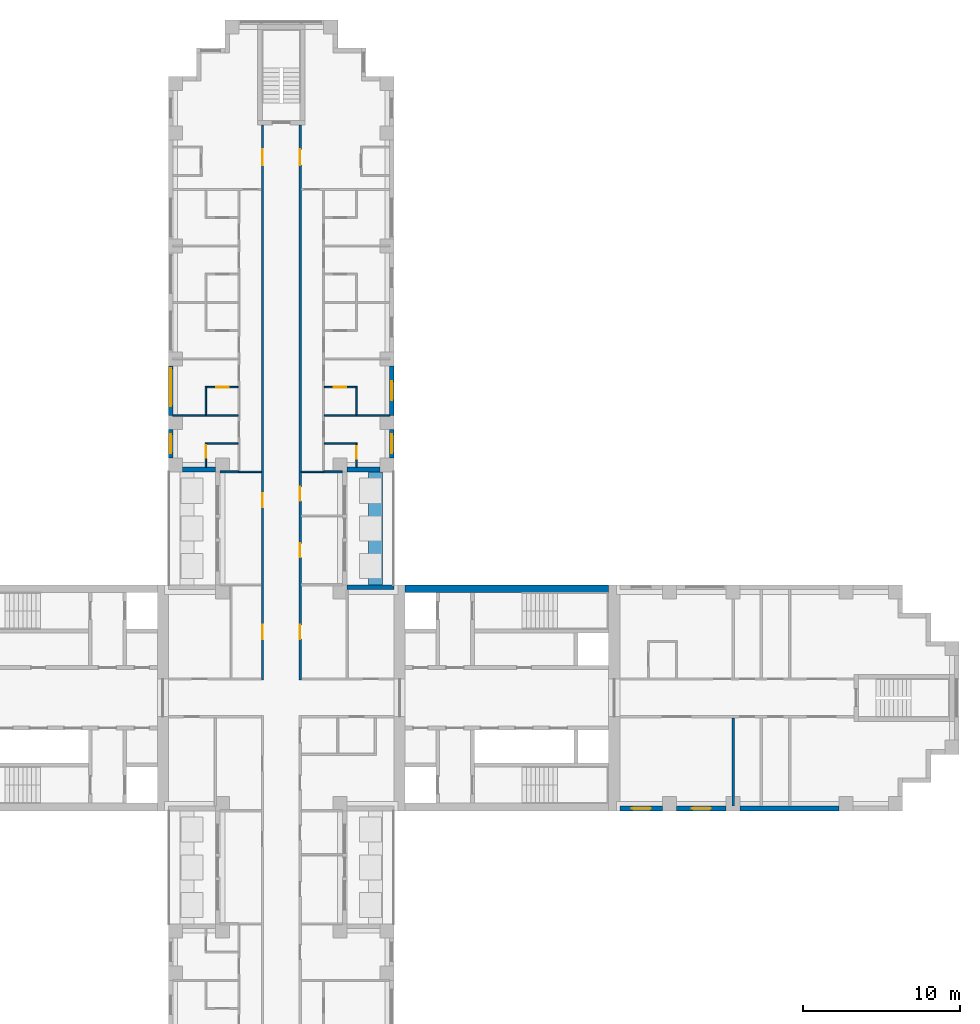
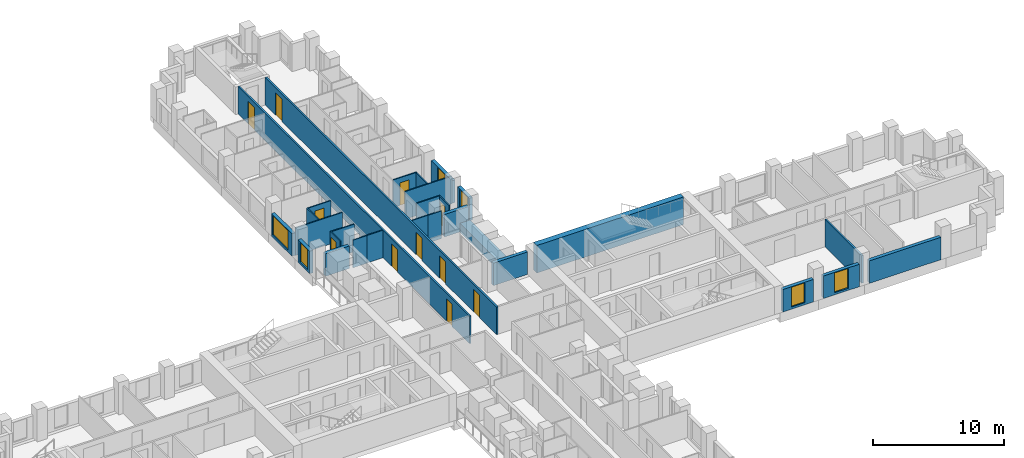
# One storey, part 9 of 15: 29 walls, 11 doors, 6 windows, 17 openings.
"""IFC4 building model written with IfcOpenShell, lengths in metres."""

import ifcopenshell
import ifcopenshell.guid

model = None  # the IFC model being written
_history = None  # IfcOwnerHistory: only IFC2X3 demands one
_inside = {}  # id of a spatial element -> (the spatial element, [elements in it])
_under = {}  # id of a project, library or spatial element -> (it, [spatial elements below it])
_declared = {}  # id of a project -> (the project, [libraries it declares])
_typed = {}  # id of a type object -> (the type object, [elements of that type])
_made_of = {}  # id of a material, layer set ... -> (it, [elements and type objects made of it])


def new_model(schema):
    """Start an empty IFC model of exactly this schema.

    Asked for "IFC4X3", IfcOpenShell would pick the latest addendum, in which some entities
    have other attributes; the version numbers below select the first issue.
    IFC2X3 requires an IfcOwnerHistory on every rooted entity: one is made here for all.
    """
    global model, _history
    if schema == "IFC4X3":
        model = ifcopenshell.file(schema_version=(4, 3, 0, 0))
    else:
        model = ifcopenshell.file(schema=schema)
    _inside.clear()
    _under.clear()
    _declared.clear()
    _typed.clear()
    _made_of.clear()
    _history = None
    if model.schema == "IFC2X3":
        org = make("IfcOrganization", Name="unknown")
        user = make(
            "IfcPersonAndOrganization",
            ThePerson=make("IfcPerson", FamilyName="unknown"),
            TheOrganization=org,
        )
        app = make(
            "IfcApplication",
            ApplicationDeveloper=org,
            Version="unknown",
            ApplicationFullName="unknown",
            ApplicationIdentifier="unknown",
        )
        _history = make(
            "IfcOwnerHistory",
            OwningUser=user,
            OwningApplication=app,
            ChangeAction="ADDED",
            CreationDate=0,
        )
    return model


def make(cls, **values):
    """One entity of the class cls with the attributes given. An attribute that is None is left unset."""
    return model.create_entity(
        cls, **{name: value for name, value in values.items() if value is not None}
    )


def rooted(cls, **values):
    """An entity with a GlobalId (a new one), such as an element, a storey or a relation."""
    return make(cls, GlobalId=ifcopenshell.guid.new(), OwnerHistory=_history, **values)


def si_unit(unit_type, name, prefix=None):
    """IfcSIUnit, for example si_unit("LENGTHUNIT", "METRE", prefix="MILLI")."""
    return make("IfcSIUnit", UnitType=unit_type, Prefix=prefix, Name=name)


def assignment(units):
    """IfcUnitAssignment: the units of a project."""
    return None if units is None else make("IfcUnitAssignment", Units=units)


def point(xyz):
    """IfcCartesianPoint."""
    return None if xyz is None else make("IfcCartesianPoint", Coordinates=xyz)


def direction(xyz):
    """IfcDirection."""
    return None if xyz is None else make("IfcDirection", DirectionRatios=xyz)


def frame(location, z_axis=None, x_axis=None):
    """IfcAxis2Placement3D, a coordinate frame: its origin and axes. An axis left out is left unset."""
    return make(
        "IfcAxis2Placement3D",
        Location=point(location),
        Axis=direction(z_axis),
        RefDirection=direction(x_axis),
    )


def frame_2d(location, x_axis=None):
    """IfcAxis2Placement2D, a coordinate frame in the plane: its origin and x axis."""
    return make(
        "IfcAxis2Placement2D", Location=point(location), RefDirection=direction(x_axis)
    )


def origin():
    """The frame at (0, 0, 0) with its axes left unset."""
    return frame((0.0, 0.0, 0.0))


def place(relative_to, where):
    """IfcLocalPlacement: puts the frame where relative to a parent placement (None: the world)."""
    return make(
        "IfcLocalPlacement", PlacementRelTo=relative_to, RelativePlacement=where
    )


def context(
    kind, dimensions, precision=None, world=None, true_north=None, identifier=None
):
    """IfcGeometricRepresentationContext, for example the 3D "Model" context."""
    return make(
        "IfcGeometricRepresentationContext",
        ContextIdentifier=identifier,
        ContextType=kind,
        CoordinateSpaceDimension=dimensions,
        Precision=precision,
        WorldCoordinateSystem=world,
        TrueNorth=true_north,
    )


def subcontext(parent, identifier, kind, view, scale=None):
    """IfcGeometricRepresentationSubContext, for example "Body" below "Model"."""
    return make(
        "IfcGeometricRepresentationSubContext",
        ContextIdentifier=identifier,
        ContextType=kind,
        ParentContext=parent,
        TargetScale=scale,
        TargetView=view,
    )


def project(units=None, contexts=None):
    """IfcProject with its units and contexts."""
    return rooted(
        "IfcProject",
        Name="project",
        RepresentationContexts=contexts,
        UnitsInContext=assignment(units),
    )


def spatial(cls, under=None, at=None, **own):
    """A site, building, storey or space (cls), placed at a placement, below another one or the project."""
    s = rooted(cls, ObjectPlacement=at, **own)
    if under is not None:
        _under.setdefault(under.id(), (under, []))[1].append(s)
    return s


def profile(cls, at=None, kind="AREA", **sizes):
    """A parametric profile (cls). Its sizes go by their IFC names, for example OverallWidth=200.0."""
    return make(cls, ProfileType=kind, Position=at, **sizes)


def rectangle(**sizes):
    """IfcRectangleProfileDef."""
    return profile("IfcRectangleProfileDef", **sizes)


def extrude(swept, where, along, depth):
    """IfcExtrudedAreaSolid: the profile swept, set in the frame where, extruded along a direction by depth."""
    return make(
        "IfcExtrudedAreaSolid",
        SweptArea=swept,
        Position=where,
        ExtrudedDirection=direction(along),
        Depth=depth,
    )


def shape(context_of_items, identifier, shape_type, items):
    """IfcShapeRepresentation: the items that make up one representation, for example the "Body"."""
    return make(
        "IfcShapeRepresentation",
        ContextOfItems=context_of_items,
        RepresentationIdentifier=identifier,
        RepresentationType=shape_type,
        Items=items,
    )


def material(Name=None, Category=None):
    """IfcMaterial."""
    return make("IfcMaterial", Name=Name, Category=Category)


def layer(
    of_material, thickness, ventilated=None, Name=None, Category=None, Priority=None
):
    """IfcMaterialLayer: one layer of a wall or slab, of a material (None: an air gap)."""
    return make(
        "IfcMaterialLayer",
        Material=of_material,
        LayerThickness=thickness,
        IsVentilated=ventilated,
        Name=Name,
        Category=Category,
        Priority=Priority,
    )


def layer_set(layers, Name=None):
    """IfcMaterialLayerSet."""
    return make("IfcMaterialLayerSet", MaterialLayers=layers, LayerSetName=Name)


def made_of(thing, what):
    """Note that an element or type object is made of a material, layer set ...; save() writes the relation."""
    if what is not None:
        _made_of.setdefault(what.id(), (what, []))[1].append(thing)
    return thing


def type_object(cls, material=None, **own):
    """A type object (cls), such as IfcWallType, which elements share."""
    return made_of(rooted(cls, **own), material)


def element(
    cls,
    number,
    at=None,
    inside=None,
    cuts=None,
    type_object=None,
    material=None,
    context=None,
    identifier="Body",
    shape_type=None,
    held_by="IfcProductDefinitionShape",
    body=None,
    shapes=None,
    **own,
):
    """One element of the class cls, such as IfcWall. Its Tag is "e" and its number.

    at: its placement. inside: the storey or other place that contains it. cuts: it is an
    opening in that element (IfcRelVoidsElement). A single representation is given by context,
    identifier, shape_type and body (its items); several are given by shapes. held_by: the class
    of the entity that holds the representations. save() writes the other relations.
    """
    e = rooted(cls, Tag="e%d" % number, ObjectPlacement=at, **own)
    if body is not None:
        shapes = [shape(context, identifier, shape_type, body)]
    if shapes is not None:
        e.Representation = make(held_by, Representations=shapes)
    if inside is not None:
        _inside.setdefault(inside.id(), (inside, []))[1].append(e)
    if cuts is not None:
        rooted(
            "IfcRelVoidsElement", RelatingBuildingElement=cuts, RelatedOpeningElement=e
        )
    if type_object is not None:
        _typed.setdefault(type_object.id(), (type_object, []))[1].append(e)
    return made_of(e, material)


def fill(opening, filler):
    """IfcRelFillsElement: the door or window that sits in an opening."""
    return rooted(
        "IfcRelFillsElement",
        RelatingOpeningElement=opening,
        RelatedBuildingElement=filler,
    )


def aggregate(whole, parts):
    """IfcRelAggregates: a whole, such as a stair, and the parts it consists of."""
    return rooted("IfcRelAggregates", RelatingObject=whole, RelatedObjects=parts)


def save(model, path):
    """Write the relations noted so far, then the file.

    IfcRelAggregates (storeys below a building ...), IfcRelContainedInSpatialStructure (elements
    in a storey), IfcRelDefinesByType, IfcRelAssociatesMaterial and IfcRelDeclares: one each for
    every whole, place, type object, material and project.
    """
    for whole, parts in _under.values():
        aggregate(whole, parts)
    for where, things in _inside.values():
        rooted(
            "IfcRelContainedInSpatialStructure",
            RelatedElements=things,
            RelatingStructure=where,
        )
    for kind, things in _typed.values():
        rooted("IfcRelDefinesByType", RelatedObjects=things, RelatingType=kind)
    for what, things in _made_of.values():
        rooted("IfcRelAssociatesMaterial", RelatedObjects=things, RelatingMaterial=what)
    for by, libraries in _declared.values():
        rooted("IfcRelDeclares", RelatingContext=by, RelatedDefinitions=libraries)
    model.write(path)


model = new_model("IFC4")

# Units and contexts
model_context = context("Model", 3, precision=1e-05, world=origin(), true_north=direction((0.0, 1.0)))
body_context = subcontext(model_context, "Body", "Model", "MODEL_VIEW")
ifc_project = project(units=[si_unit("LENGTHUNIT", "METRE"), si_unit("AREAUNIT", "SQUARE_METRE"), si_unit("VOLUMEUNIT", "CUBIC_METRE"), si_unit("PLANEANGLEUNIT", "RADIAN"), si_unit("MASSUNIT", "GRAM", prefix="KILO")], contexts=[model_context])

# Site, building, storey
site_placement = place(None, origin())
site = spatial("IfcSite", under=ifc_project, at=site_placement, CompositionType="ELEMENT")
building_placement = place(site_placement, origin())
building = spatial("IfcBuilding", under=site, at=building_placement, Name="Fustian Cross Tower", CompositionType="ELEMENT")
storey_placement = place(building_placement, frame((0.0, 0.0, 17.699951171875)))
storey = spatial("IfcBuildingStorey", under=building, at=storey_placement, Name="L04", CompositionType="ELEMENT", Elevation=17.699951171875)

# Wall, openings, doors
ifc_material_1 = material(Name="Plasterboard on steel stud", Category="steel")
ifc_layer_1 = layer(ifc_material_1, 0.14990234375)
ifc_layer_set_1 = layer_set([ifc_layer_1], Name="Plasterboard on steel stud")
wall_type_1 = type_object("IfcWallType", Name="COMPARTMENT WALL 150 EI 60", PredefinedType="PARTITIONING", material=ifc_layer_set_1)
wall_1_placement = place(storey_placement, frame((-1.199951171875, 1.125, 0.0), z_axis=(0.0, 0.0, 1.0), x_axis=(0.0, 1.0, 0.0)))
wall_1 = element("IfcWall", 1, at=wall_1_placement, inside=storey, type_object=wall_type_1, Name="Partition 55", PredefinedType="PARTITIONING", context=body_context, shape_type="SweptSolid", body=[
    extrude(rectangle(XDim=35.375, YDim=0.14990234375, at=frame_2d((17.6875, 0.0))), origin(), (0.0, 0.0, 1.0), 2.574951171875),
])
opening_1_placement = place(wall_1_placement, frame((2.625, 0.0, 0.0)))
opening_1 = element("IfcOpeningElement", 2, at=opening_1_placement, cuts=wall_1, Name="Opening D04003", PredefinedType="OPENING", context=body_context, shape_type="SweptSolid", body=[
    extrude(rectangle(XDim=0.89990234375, YDim=2.10009765625, at=frame_2d((0.449951171875, 1.050048828125))), frame((0.0, 0.0849609375, 0.0), z_axis=(0.0, -1.0, 0.0), x_axis=(1.0, 0.0, 0.0)), (0.0, 0.0, 1.0), 0.169921875),
])
opening_2_placement = place(wall_1_placement, frame((11.02490234375, 0.0, 0.0)))
opening_2 = element("IfcOpeningElement", 3, at=opening_2_placement, cuts=wall_1, Name="Opening D04019", PredefinedType="OPENING", context=body_context, shape_type="SweptSolid", body=[
    extrude(rectangle(XDim=0.89990234375, YDim=2.10009765625, at=frame_2d((0.449951171875, 1.050048828125))), frame((0.0, 0.0849609375, 0.0), z_axis=(0.0, -1.0, 0.0), x_axis=(1.0, 0.0, 0.0)), (0.0, 0.0, 1.0), 0.169921875),
])
opening_3_placement = place(wall_1_placement, frame((32.824951171875, 0.0, 0.0)))
opening_3 = element("IfcOpeningElement", 4, at=opening_3_placement, cuts=wall_1, Name="Opening D04021", PredefinedType="OPENING", context=body_context, shape_type="SweptSolid", body=[
    extrude(rectangle(XDim=1.0, YDim=2.10009765625, at=frame_2d((0.5, 1.050048828125))), frame((0.0, 0.0849609375, 0.0), z_axis=(0.0, -1.0, 0.0), x_axis=(1.0, 0.0, 0.0)), (0.0, 0.0, 1.0), 0.169921875),
])
ifc_material_2 = material(Name="Timber fire door set", Category="wood")
door_type_1 = type_object("IfcDoorType", Name="FIRE SWING DOOR 1000 FD30S", OperationType="SINGLE_SWING_LEFT", PredefinedType="DOOR", material=ifc_material_2)
door_1_placement = place(opening_3_placement, origin())
door_1 = element("IfcDoor", 5, at=door_1_placement, inside=storey, type_object=door_type_1, Name="Door D04021", OperationType="SINGLE_SWING_LEFT", OverallHeight=2.10009765625, OverallWidth=1.0, PredefinedType="DOOR", context=body_context, shape_type="SweptSolid", body=[
    extrude(rectangle(XDim=1.0, YDim=2.10009765625, at=frame_2d((0.5, 1.050048828125))), frame((0.0, 0.02490234375, 0.0), z_axis=(0.0, -1.0, 0.0), x_axis=(1.0, 0.0, 0.0)), (0.0, 0.0, 1.0), 0.050048828125),
])
fill(opening_3, door_1)
ifc_material_3 = material(Name="Timber fire door set", Category="wood")
door_type_2 = type_object("IfcDoorType", Name="FIRE SWING DOOR 900 FD30S", OperationType="SINGLE_SWING_LEFT", PredefinedType="DOOR", material=ifc_material_3)
door_2_placement = place(opening_1_placement, origin())
door_2 = element("IfcDoor", 6, at=door_2_placement, inside=storey, type_object=door_type_2, Name="Door D04003", OperationType="SINGLE_SWING_LEFT", OverallHeight=2.10009765625, OverallWidth=0.89990234375, PredefinedType="DOOR", context=body_context, shape_type="SweptSolid", body=[
    extrude(rectangle(XDim=0.89990234375, YDim=2.10009765625, at=frame_2d((0.449951171875, 1.050048828125))), frame((0.0, 0.02490234375, 0.0), z_axis=(0.0, -1.0, 0.0), x_axis=(1.0, 0.0, 0.0)), (0.0, 0.0, 1.0), 0.050048828125),
])
fill(opening_1, door_2)
door_3_placement = place(opening_2_placement, origin())
door_3 = element("IfcDoor", 7, at=door_3_placement, inside=storey, type_object=door_type_2, Name="Door D04019", OperationType="SINGLE_SWING_RIGHT", OverallHeight=2.10009765625, OverallWidth=0.89990234375, PredefinedType="DOOR", context=body_context, shape_type="SweptSolid", body=[
    extrude(rectangle(XDim=0.89990234375, YDim=2.10009765625, at=frame_2d((0.449951171875, 1.050048828125))), frame((0.0, 0.02490234375, 0.0), z_axis=(0.0, -1.0, 0.0), x_axis=(1.0, 0.0, 0.0)), (0.0, 0.0, 1.0), 0.050048828125),
])
fill(opening_2, door_3)

wall_2_placement = place(storey_placement, frame((1.199951171875, 1.125, 0.0), z_axis=(0.0, 0.0, 1.0), x_axis=(0.0, 1.0, 0.0)))
wall_2 = element("IfcWall", 8, at=wall_2_placement, inside=storey, type_object=wall_type_1, Name="Partition 64", PredefinedType="PARTITIONING", context=body_context, shape_type="SweptSolid", body=[
    extrude(rectangle(XDim=35.375, YDim=0.14990234375, at=frame_2d((17.6875, 0.0))), origin(), (0.0, 0.0, 1.0), 2.574951171875),
])
opening_4_placement = place(wall_2_placement, frame((2.625, 0.0, 0.0)))
opening_4 = element("IfcOpeningElement", 9, at=opening_4_placement, cuts=wall_2, Name="Opening D04001", PredefinedType="OPENING", context=body_context, shape_type="SweptSolid", body=[
    extrude(rectangle(XDim=0.89990234375, YDim=2.10009765625, at=frame_2d((0.449951171875, 1.050048828125))), frame((0.0, 0.0849609375, 0.0), z_axis=(0.0, -1.0, 0.0), x_axis=(1.0, 0.0, 0.0)), (0.0, 0.0, 1.0), 0.169921875),
])
opening_5_placement = place(wall_2_placement, frame((11.425048828125, 0.0, 0.0)))
opening_5 = element("IfcOpeningElement", 10, at=opening_5_placement, cuts=wall_2, Name="Opening D04033", PredefinedType="OPENING", context=body_context, shape_type="SweptSolid", body=[
    extrude(rectangle(XDim=0.89990234375, YDim=2.10009765625, at=frame_2d((0.449951171875, 1.050048828125))), frame((0.0, 0.0849609375, 0.0), z_axis=(0.0, -1.0, 0.0), x_axis=(1.0, 0.0, 0.0)), (0.0, 0.0, 1.0), 0.169921875),
])
opening_6_placement = place(wall_2_placement, frame((7.824951171875, 0.0, 0.0)))
opening_6 = element("IfcOpeningElement", 11, at=opening_6_placement, cuts=wall_2, Name="Opening D04034", PredefinedType="OPENING", context=body_context, shape_type="SweptSolid", body=[
    extrude(rectangle(XDim=0.89990234375, YDim=2.10009765625, at=frame_2d((0.449951171875, 1.050048828125))), frame((0.0, 0.0849609375, 0.0), z_axis=(0.0, -1.0, 0.0), x_axis=(1.0, 0.0, 0.0)), (0.0, 0.0, 1.0), 0.169921875),
])
opening_7_placement = place(wall_2_placement, frame((32.824951171875, 0.0, 0.0)))
opening_7 = element("IfcOpeningElement", 12, at=opening_7_placement, cuts=wall_2, Name="Opening D04036", PredefinedType="OPENING", context=body_context, shape_type="SweptSolid", body=[
    extrude(rectangle(XDim=1.0, YDim=2.10009765625, at=frame_2d((0.5, 1.050048828125))), frame((0.0, 0.0849609375, 0.0), z_axis=(0.0, -1.0, 0.0), x_axis=(1.0, 0.0, 0.0)), (0.0, 0.0, 1.0), 0.169921875),
])
door_4_placement = place(opening_7_placement, frame((1.0, 0.0, 0.0), z_axis=(0.0, 0.0, 1.0), x_axis=(-1.0, 0.0, 0.0)))
door_4 = element("IfcDoor", 13, at=door_4_placement, inside=storey, type_object=door_type_1, Name="Door D04036", OperationType="SINGLE_SWING_RIGHT", OverallHeight=2.10009765625, OverallWidth=1.0, PredefinedType="DOOR", context=body_context, shape_type="SweptSolid", body=[
    extrude(rectangle(XDim=1.0, YDim=2.10009765625, at=frame_2d((0.5, 1.050048828125))), frame((0.0, 0.02490234375, 0.0), z_axis=(0.0, -1.0, 0.0), x_axis=(1.0, 0.0, 0.0)), (0.0, 0.0, 1.0), 0.050048828125),
])
fill(opening_7, door_4)
door_5_placement = place(opening_4_placement, frame((0.89990234375, 0.0, 0.0), z_axis=(0.0, 0.0, 1.0), x_axis=(-1.0, 0.0, 0.0)))
door_5 = element("IfcDoor", 14, at=door_5_placement, inside=storey, type_object=door_type_2, Name="Door D04001", OperationType="SINGLE_SWING_RIGHT", OverallHeight=2.10009765625, OverallWidth=0.89990234375, PredefinedType="DOOR", context=body_context, shape_type="SweptSolid", body=[
    extrude(rectangle(XDim=0.89990234375, YDim=2.10009765625, at=frame_2d((0.449951171875, 1.050048828125))), frame((0.0, 0.02490234375, 0.0), z_axis=(0.0, -1.0, 0.0), x_axis=(1.0, 0.0, 0.0)), (0.0, 0.0, 1.0), 0.050048828125),
])
fill(opening_4, door_5)
door_6_placement = place(opening_5_placement, frame((0.89990234375, 0.0, 0.0), z_axis=(0.0, 0.0, 1.0), x_axis=(-1.0, 0.0, 0.0)))
door_6 = element("IfcDoor", 15, at=door_6_placement, inside=storey, type_object=door_type_2, Name="Door D04033", OperationType="SINGLE_SWING_RIGHT", OverallHeight=2.10009765625, OverallWidth=0.89990234375, PredefinedType="DOOR", context=body_context, shape_type="SweptSolid", body=[
    extrude(rectangle(XDim=0.89990234375, YDim=2.10009765625, at=frame_2d((0.449951171875, 1.050048828125))), frame((0.0, 0.02490234375, 0.0), z_axis=(0.0, -1.0, 0.0), x_axis=(1.0, 0.0, 0.0)), (0.0, 0.0, 1.0), 0.050048828125),
])
fill(opening_5, door_6)
door_7_placement = place(opening_6_placement, frame((0.89990234375, 0.0, 0.0), z_axis=(0.0, 0.0, 1.0), x_axis=(-1.0, 0.0, 0.0)))
door_7 = element("IfcDoor", 16, at=door_7_placement, inside=storey, type_object=door_type_2, Name="Door D04034", OperationType="SINGLE_SWING_RIGHT", OverallHeight=2.10009765625, OverallWidth=0.89990234375, PredefinedType="DOOR", context=body_context, shape_type="SweptSolid", body=[
    extrude(rectangle(XDim=0.89990234375, YDim=2.10009765625, at=frame_2d((0.449951171875, 1.050048828125))), frame((0.0, 0.02490234375, 0.0), z_axis=(0.0, -1.0, 0.0), x_axis=(1.0, 0.0, 0.0)), (0.0, 0.0, 1.0), 0.050048828125),
])
fill(opening_6, door_7)

# Walls
wall_3_placement = place(storey_placement, frame((28.800048828125, -6.89990234375, 0.0), z_axis=(0.0, 0.0, 1.0), x_axis=(0.0, 1.0, 0.0)))
element("IfcWall", 17, at=wall_3_placement, inside=storey, type_object=wall_type_1, Name="Partition 104", PredefinedType="PARTITIONING", context=body_context, shape_type="SweptSolid", body=[
    extrude(rectangle(XDim=5.625, YDim=0.14990234375, at=frame_2d((2.8125, 0.0))), origin(), (0.0, 0.0, 1.0), 2.574951171875),
])
ifc_material_4 = material(Name="Concrete C80/95", Category="concrete")
ifc_layer_2 = layer(ifc_material_4, 0.5)
ifc_layer_set_2 = layer_set([ifc_layer_2], Name="Concrete C80/95")
wall_type_2 = type_object("IfcWallType", Name="CORE FACADE WALL 500 C80/95", PredefinedType="SHEAR", material=ifc_layer_set_2)
wall_4_placement = place(storey_placement, frame((7.89990234375, 6.949951171875, 0.0), z_axis=(0.0, 0.0, 1.0), x_axis=(1.0, 0.0, 0.0)))
element("IfcWall", 18, at=wall_4_placement, inside=storey, type_object=wall_type_2, Name="Core facade wall", PredefinedType="SHEAR", context=body_context, shape_type="SweptSolid", body=[
    extrude(rectangle(XDim=12.9501953125, YDim=0.5, at=frame_2d((6.47509765625, 0.0))), origin(), (0.0, 0.0, 1.0), 2.574951171875),
])
ifc_material_5 = material(Name="Plasterboard on steel stud", Category="steel")
ifc_layer_3 = layer(ifc_material_5, 0.10009765625)
ifc_layer_set_3 = layer_set([ifc_layer_3], Name="Plasterboard on steel stud")
wall_type_3 = type_object("IfcWallType", Name="PARTITION 100 STUD", PredefinedType="PARTITIONING", material=ifc_layer_set_3)
wall_5_placement = place(storey_placement, frame((-6.89990234375, 18.0, 0.0), z_axis=(0.0, 0.0, 1.0), x_axis=(1.0, 0.0, 0.0)))
element("IfcWall", 19, at=wall_5_placement, inside=storey, type_object=wall_type_3, Name="Partition 17", PredefinedType="PARTITIONING", context=body_context, shape_type="SweptSolid", body=[
    extrude(rectangle(XDim=4.14990234375, YDim=0.10009765625, at=frame_2d((2.074951171875, 0.0))), origin(), (0.0, 0.0, 1.0), 2.574951171875),
])

# Wall, opening, door
wall_6_placement = place(storey_placement, frame((-4.800048828125, 14.699951171875, 0.0), z_axis=(0.0, 0.0, 1.0), x_axis=(0.0, 1.0, 0.0)))
wall_6 = element("IfcWall", 20, at=wall_6_placement, inside=storey, type_object=wall_type_3, Name="Partition 35", PredefinedType="PARTITIONING", context=body_context, shape_type="SweptSolid", body=[
    extrude(rectangle(XDim=1.550048828125, YDim=0.10009765625, at=frame_2d((0.77490234375, 0.0))), origin(), (0.0, 0.0, 1.0), 2.574951171875),
])
opening_8_placement = place(wall_6_placement, frame((0.60009765625, 0.0, 0.0)))
opening_8 = element("IfcOpeningElement", 21, at=opening_8_placement, cuts=wall_6, Name="Opening D04028", PredefinedType="OPENING", context=body_context, shape_type="SweptSolid", body=[
    extrude(rectangle(XDim=0.800048828125, YDim=2.10009765625, at=frame_2d((0.39990234375, 1.050048828125))), frame((0.0, 0.06005859375, 0.0), z_axis=(0.0, -1.0, 0.0), x_axis=(1.0, 0.0, 0.0)), (0.0, 0.0, 1.0), 0.1201171875),
])
ifc_material_6 = material(Name="Painted timber", Category="wood")
door_type_3 = type_object("IfcDoorType", Name="SWING DOOR 800", OperationType="SINGLE_SWING_LEFT", PredefinedType="DOOR", material=ifc_material_6)
door_8_placement = place(opening_8_placement, frame((0.800048828125, 0.0, 0.0), z_axis=(0.0, 0.0, 1.0), x_axis=(-1.0, 0.0, 0.0)))
door_8 = element("IfcDoor", 22, at=door_8_placement, inside=storey, type_object=door_type_3, Name="Door D04028", OperationType="SINGLE_SWING_LEFT", OverallHeight=2.10009765625, OverallWidth=0.800048828125, PredefinedType="DOOR", context=body_context, shape_type="SweptSolid", body=[
    extrude(rectangle(XDim=0.800048828125, YDim=2.10009765625, at=frame_2d((0.39990234375, 1.050048828125))), frame((0.0, 0.02490234375, 0.0), z_axis=(0.0, -1.0, 0.0), x_axis=(1.0, 0.0, 0.0)), (0.0, 0.0, 1.0), 0.050048828125),
])
fill(opening_8, door_8)

# Walls
wall_7_placement = place(storey_placement, frame((-4.75, 16.199951171875, 0.0), z_axis=(0.0, 0.0, 1.0), x_axis=(1.0, 0.0, 0.0)))
element("IfcWall", 23, at=wall_7_placement, inside=storey, type_object=wall_type_3, Name="Partition 36", PredefinedType="PARTITIONING", context=body_context, shape_type="SweptSolid", body=[
    extrude(rectangle(XDim=2.0, YDim=0.10009765625, at=frame_2d((1.0, 0.0))), origin(), (0.0, 0.0, 1.0), 2.574951171875),
])
wall_8_placement = place(storey_placement, frame((-4.800048828125, 18.050048828125, 0.0), z_axis=(0.0, 0.0, 1.0), x_axis=(0.0, 1.0, 0.0)))
element("IfcWall", 24, at=wall_8_placement, inside=storey, type_object=wall_type_3, Name="Partition 37", PredefinedType="PARTITIONING", context=body_context, shape_type="SweptSolid", body=[
    extrude(rectangle(XDim=1.800048828125, YDim=0.10009765625, at=frame_2d((0.89990234375, 0.0))), origin(), (0.0, 0.0, 1.0), 2.574951171875),
])

# Wall, opening, door
wall_9_placement = place(storey_placement, frame((-4.75, 19.800048828125, 0.0), z_axis=(0.0, 0.0, 1.0), x_axis=(1.0, 0.0, 0.0)))
wall_9 = element("IfcWall", 25, at=wall_9_placement, inside=storey, type_object=wall_type_3, Name="Partition 38", PredefinedType="PARTITIONING", context=body_context, shape_type="SweptSolid", body=[
    extrude(rectangle(XDim=2.0, YDim=0.10009765625, at=frame_2d((1.0, 0.0))), origin(), (0.0, 0.0, 1.0), 2.574951171875),
])
opening_9_placement = place(wall_9_placement, frame((0.60009765625, 0.0, 0.0)))
opening_9 = element("IfcOpeningElement", 26, at=opening_9_placement, cuts=wall_9, Name="Opening D04029", PredefinedType="OPENING", context=body_context, shape_type="SweptSolid", body=[
    extrude(rectangle(XDim=0.800048828125, YDim=2.10009765625, at=frame_2d((0.39990234375, 1.050048828125))), frame((0.0, 0.06005859375, 0.0), z_axis=(0.0, -1.0, 0.0), x_axis=(1.0, 0.0, 0.0)), (0.0, 0.0, 1.0), 0.1201171875),
])
door_9_placement = place(opening_9_placement, frame((0.800048828125, 0.0, 0.0), z_axis=(0.0, 0.0, 1.0), x_axis=(-1.0, 0.0, 0.0)))
door_9 = element("IfcDoor", 27, at=door_9_placement, inside=storey, type_object=door_type_3, Name="Door D04029", OperationType="SINGLE_SWING_RIGHT", OverallHeight=2.10009765625, OverallWidth=0.800048828125, PredefinedType="DOOR", context=body_context, shape_type="SweptSolid", body=[
    extrude(rectangle(XDim=0.800048828125, YDim=2.10009765625, at=frame_2d((0.39990234375, 1.050048828125))), frame((0.0, 0.02490234375, 0.0), z_axis=(0.0, -1.0, 0.0), x_axis=(1.0, 0.0, 0.0)), (0.0, 0.0, 1.0), 0.050048828125),
])
fill(opening_9, door_9)

# Walls
for number, where, z_axis, x_axis, name in (
    (28, (-2.699951171875, 14.39990234375, 0.0), (0.0, 0.0, 1.0), (1.0, 0.0, 0.0), "Partition 53"),
    (29, (1.27490234375, 14.39990234375, 0.0), (0.0, 0.0, 1.0), (1.0, 0.0, 0.0), "Partition 68"),
):
    element("IfcWall", number, at=place(storey_placement, frame(where, z_axis=z_axis, x_axis=x_axis)), inside=storey, type_object=wall_type_3, Name=name, PredefinedType="PARTITIONING", context=body_context, shape_type="SweptSolid", body=[
        extrude(rectangle(XDim=1.425048828125, YDim=0.10009765625, at=frame_2d((0.71240234375, 0.0))), origin(), (0.0, 0.0, 1.0), 2.574951171875),
    ])
wall_10_placement = place(storey_placement, frame((2.75, 16.199951171875, 0.0), z_axis=(0.0, 0.0, 1.0), x_axis=(1.0, 0.0, 0.0)))
element("IfcWall", 30, at=wall_10_placement, inside=storey, type_object=wall_type_3, Name="Partition 76", PredefinedType="PARTITIONING", context=body_context, shape_type="SweptSolid", body=[
    extrude(rectangle(XDim=2.10009765625, YDim=0.10009765625, at=frame_2d((1.050048828125, 0.0))), origin(), (0.0, 0.0, 1.0), 2.574951171875),
])
wall_11_placement = place(storey_placement, frame((2.75, 18.0, 0.0), z_axis=(0.0, 0.0, 1.0), x_axis=(1.0, 0.0, 0.0)))
element("IfcWall", 31, at=wall_11_placement, inside=storey, type_object=wall_type_3, Name="Partition 77", PredefinedType="PARTITIONING", context=body_context, shape_type="SweptSolid", body=[
    extrude(rectangle(XDim=4.14990234375, YDim=0.10009765625, at=frame_2d((2.074951171875, 0.0))), origin(), (0.0, 0.0, 1.0), 2.574951171875),
])

# Wall, opening, door
wall_12_placement = place(storey_placement, frame((2.75, 19.800048828125, 0.0), z_axis=(0.0, 0.0, 1.0), x_axis=(1.0, 0.0, 0.0)))
wall_12 = element("IfcWall", 32, at=wall_12_placement, inside=storey, type_object=wall_type_3, Name="Partition 78", PredefinedType="PARTITIONING", context=body_context, shape_type="SweptSolid", body=[
    extrude(rectangle(XDim=2.10009765625, YDim=0.10009765625, at=frame_2d((1.050048828125, 0.0))), origin(), (0.0, 0.0, 1.0), 2.574951171875),
])
opening_10_placement = place(wall_12_placement, frame((0.60009765625, 0.0, 0.0)))
opening_10 = element("IfcOpeningElement", 33, at=opening_10_placement, cuts=wall_12, Name="Opening D04044", PredefinedType="OPENING", context=body_context, shape_type="SweptSolid", body=[
    extrude(rectangle(XDim=0.800048828125, YDim=2.10009765625, at=frame_2d((0.39990234375, 1.050048828125))), frame((0.0, 0.06005859375, 0.0), z_axis=(0.0, -1.0, 0.0), x_axis=(1.0, 0.0, 0.0)), (0.0, 0.0, 1.0), 0.1201171875),
])
door_10_placement = place(opening_10_placement, frame((0.800048828125, 0.0, 0.0), z_axis=(0.0, 0.0, 1.0), x_axis=(-1.0, 0.0, 0.0)))
door_10 = element("IfcDoor", 34, at=door_10_placement, inside=storey, type_object=door_type_3, Name="Door D04044", OperationType="SINGLE_SWING_RIGHT", OverallHeight=2.10009765625, OverallWidth=0.800048828125, PredefinedType="DOOR", context=body_context, shape_type="SweptSolid", body=[
    extrude(rectangle(XDim=0.800048828125, YDim=2.10009765625, at=frame_2d((0.39990234375, 1.050048828125))), frame((0.0, 0.02490234375, 0.0), z_axis=(0.0, -1.0, 0.0), x_axis=(1.0, 0.0, 0.0)), (0.0, 0.0, 1.0), 0.050048828125),
])
fill(opening_10, door_10)

wall_13_placement = place(storey_placement, frame((4.800048828125, 14.699951171875, 0.0), z_axis=(0.0, 0.0, 1.0), x_axis=(0.0, 1.0, 0.0)))
wall_13 = element("IfcWall", 35, at=wall_13_placement, inside=storey, type_object=wall_type_3, Name="Partition 88", PredefinedType="PARTITIONING", context=body_context, shape_type="SweptSolid", body=[
    extrude(rectangle(XDim=1.449951171875, YDim=0.10009765625, at=frame_2d((0.72509765625, 0.0))), origin(), (0.0, 0.0, 1.0), 2.574951171875),
])
opening_11_placement = place(wall_13_placement, frame((0.550048828125, 0.0, 0.0)))
opening_11 = element("IfcOpeningElement", 36, at=opening_11_placement, cuts=wall_13, Name="Opening D04043", PredefinedType="OPENING", context=body_context, shape_type="SweptSolid", body=[
    extrude(rectangle(XDim=0.800048828125, YDim=2.10009765625, at=frame_2d((0.39990234375, 1.050048828125))), frame((0.0, 0.06005859375, 0.0), z_axis=(0.0, -1.0, 0.0), x_axis=(1.0, 0.0, 0.0)), (0.0, 0.0, 1.0), 0.1201171875),
])
door_11_placement = place(opening_11_placement, frame((0.800048828125, 0.0, 0.0), z_axis=(0.0, 0.0, 1.0), x_axis=(-1.0, 0.0, 0.0)))
door_11 = element("IfcDoor", 37, at=door_11_placement, inside=storey, type_object=door_type_3, Name="Door D04043", OperationType="SINGLE_SWING_RIGHT", OverallHeight=2.10009765625, OverallWidth=0.800048828125, PredefinedType="DOOR", context=body_context, shape_type="SweptSolid", body=[
    extrude(rectangle(XDim=0.800048828125, YDim=2.10009765625, at=frame_2d((0.39990234375, 1.050048828125))), frame((0.0, 0.02490234375, 0.0), z_axis=(0.0, -1.0, 0.0), x_axis=(1.0, 0.0, 0.0)), (0.0, 0.0, 1.0), 0.050048828125),
])
fill(opening_11, door_11)

# Walls
wall_14_placement = place(storey_placement, frame((4.800048828125, 18.050048828125, 0.0), z_axis=(0.0, 0.0, 1.0), x_axis=(0.0, 1.0, 0.0)))
element("IfcWall", 38, at=wall_14_placement, inside=storey, type_object=wall_type_3, Name="Partition 89", PredefinedType="PARTITIONING", context=body_context, shape_type="SweptSolid", body=[
    extrude(rectangle(XDim=1.699951171875, YDim=0.10009765625, at=frame_2d((0.85009765625, 0.0))), origin(), (0.0, 0.0, 1.0), 2.574951171875),
])
ifc_material_7 = material(Name="Concrete C40/50", Category="concrete")
ifc_layer_4 = layer(ifc_material_7, 0.89990234375)
ifc_layer_set_4 = layer_set([ifc_layer_4], Name="Concrete C40/50")
wall_type_4 = type_object("IfcWallType", Name="PK1 PLANTER 900", PredefinedType="PARAPET", material=ifc_layer_set_4)
wall_15_placement = place(storey_placement, frame((6.0, 7.199951171875, 0.0), z_axis=(0.0, 0.0, 1.0), x_axis=(0.0, 1.0, 0.0)))
element("IfcWall", 39, at=wall_15_placement, inside=storey, type_object=wall_type_4, Name="PLANTER", PredefinedType="PARAPET", context=body_context, shape_type="SweptSolid", body=[
    extrude(rectangle(XDim=7.199951171875, YDim=0.89990234375, at=frame_2d((3.60009765625, 0.0))), origin(), (0.0, 0.0, 1.0), 0.800048828125),
])
ifc_material_8 = material(Name="Plasterboard on steel stud", Category="steel")
ifc_layer_5 = layer(ifc_material_8, 0.125)
ifc_layer_set_5 = layer_set([ifc_layer_5], Name="Plasterboard on steel stud")
wall_type_5 = type_object("IfcWallType", Name="WET WALL 125 STUD", PredefinedType="PARTITIONING", material=ifc_layer_set_5)
for number, where, z_axis, x_axis, name in (
    (40, (-3.89990234375, 14.39990234375, 0.0), (0.0, 0.0, 1.0), (1.0, 0.0, 0.0), "Partition 48"),
    (41, (2.699951171875, 14.39990234375, 0.0), (0.0, 0.0, 1.0), (1.0, 0.0, 0.0), "Partition 75"),
):
    element("IfcWall", number, at=place(storey_placement, frame(where, z_axis=z_axis, x_axis=x_axis)), inside=storey, type_object=wall_type_5, Name=name, PredefinedType="PARTITIONING", context=body_context, shape_type="SweptSolid", body=[
        extrude(rectangle(XDim=1.199951171875, YDim=0.125, at=frame_2d((0.60009765625, 0.0))), origin(), (0.0, 0.0, 1.0), 2.574951171875),
    ])

# Wall, opening, window
ifc_material_9 = material(Name="Dark aluminium cladding on insulated backing wall", Category="aluminium")
ifc_layer_6 = layer(ifc_material_9, 0.300048828125)
ifc_layer_set_6 = layer_set([ifc_layer_6], Name="Dark aluminium cladding on insulated backing wall")
wall_type_6 = type_object("IfcWallType", Name="XW1 EXTERNAL WALL 300", PredefinedType="SOLIDWALL", material=ifc_layer_set_6)
wall_16_placement = place(storey_placement, frame((21.60009765625, -7.050048828125, 0.0), z_axis=(0.0, 0.0, 1.0), x_axis=(1.0, 0.0, 0.0)))
wall_16 = element("IfcWall", 42, at=wall_16_placement, inside=storey, type_object=wall_type_6, Name="External wall", PredefinedType="SOLIDWALL", context=body_context, shape_type="SweptSolid", body=[
    extrude(rectangle(XDim=2.699951171875, YDim=0.300048828125, at=frame_2d((1.35009765625, 0.0))), origin(), (0.0, 0.0, 1.0), 2.10009765625),
])
opening_12_placement = place(wall_16_placement, frame((0.75, 0.0, 0.199951171875)))
opening_12 = element("IfcOpeningElement", 43, at=opening_12_placement, cuts=wall_16, Name="Opening WN3", PredefinedType="OPENING", context=body_context, shape_type="SweptSolid", body=[
    extrude(rectangle(XDim=1.199951171875, YDim=1.85009765625, at=frame_2d((0.60009765625, 0.925048828125))), frame((0.0, 0.159912109375, 0.0), z_axis=(0.0, -1.0, 0.0), x_axis=(1.0, 0.0, 0.0)), (0.0, 0.0, 1.0), 0.320068359375),
])
ifc_material_10 = material(Name="Dark anodised aluminium and double glazing", Category="aluminium")
window_type_1 = type_object("IfcWindowType", Name="WN3 WINDOW 1200X1850", PartitioningType="SINGLE_PANEL", PredefinedType="WINDOW", material=ifc_material_10)
window_1_placement = place(opening_12_placement, origin())
window_1 = element("IfcWindow", 44, at=window_1_placement, inside=storey, type_object=window_type_1, Name="Window", OverallHeight=1.85009765625, OverallWidth=1.199951171875, PartitioningType="SINGLE_PANEL", PredefinedType="WINDOW", context=body_context, shape_type="SweptSolid", body=[
    extrude(rectangle(XDim=1.199951171875, YDim=1.85009765625, at=frame_2d((0.60009765625, 0.925048828125))), frame((0.0, 0.030029296875, 0.0), z_axis=(0.0, -1.0, 0.0), x_axis=(1.0, 0.0, 0.0)), (0.0, 0.0, 1.0), 0.06005859375),
])
fill(opening_12, window_1)

wall_17_placement = place(storey_placement, frame((25.199951171875, -7.050048828125, 0.0), z_axis=(0.0, 0.0, 1.0), x_axis=(1.0, 0.0, 0.0)))
wall_17 = element("IfcWall", 45, at=wall_17_placement, inside=storey, type_object=wall_type_6, Name="External wall", PredefinedType="SOLIDWALL", context=body_context, shape_type="SweptSolid", body=[
    extrude(rectangle(XDim=3.150146484375, YDim=0.300048828125, at=frame_2d((1.5751953125, 0.0))), origin(), (0.0, 0.0, 1.0), 2.10009765625),
])
opening_13_placement = place(wall_17_placement, frame((0.97509765625, 0.0, 0.199951171875)))
opening_13 = element("IfcOpeningElement", 46, at=opening_13_placement, cuts=wall_17, Name="Opening WN3", PredefinedType="OPENING", context=body_context, shape_type="SweptSolid", body=[
    extrude(rectangle(XDim=1.199951171875, YDim=1.85009765625, at=frame_2d((0.60009765625, 0.925048828125))), frame((0.0, 0.159912109375, 0.0), z_axis=(0.0, -1.0, 0.0), x_axis=(1.0, 0.0, 0.0)), (0.0, 0.0, 1.0), 0.320068359375),
])
window_2_placement = place(opening_13_placement, origin())
window_2 = element("IfcWindow", 47, at=window_2_placement, inside=storey, type_object=window_type_1, Name="Window", OverallHeight=1.85009765625, OverallWidth=1.199951171875, PartitioningType="SINGLE_PANEL", PredefinedType="WINDOW", context=body_context, shape_type="SweptSolid", body=[
    extrude(rectangle(XDim=1.199951171875, YDim=1.85009765625, at=frame_2d((0.60009765625, 0.925048828125))), frame((0.0, 0.030029296875, 0.0), z_axis=(0.0, -1.0, 0.0), x_axis=(1.0, 0.0, 0.0)), (0.0, 0.0, 1.0), 0.06005859375),
])
fill(opening_13, window_2)

# Walls
wall_18_placement = place(storey_placement, frame((29.25, -7.050048828125, 0.0), z_axis=(0.0, 0.0, 1.0), x_axis=(1.0, 0.0, 0.0)))
element("IfcWall", 48, at=wall_18_placement, inside=storey, type_object=wall_type_6, Name="External wall", PredefinedType="SOLIDWALL", context=body_context, shape_type="SweptSolid", body=[
    extrude(rectangle(XDim=6.300048828125, YDim=0.300048828125, at=frame_2d((3.14990234375, 0.0))), origin(), (0.0, 0.0, 1.0), 2.10009765625),
])
wall_19_placement = place(storey_placement, frame((7.199951171875, 7.050048828125, 0.0), z_axis=(0.0, 0.0, 1.0), x_axis=(-1.0, 0.0, 0.0)))
element("IfcWall", 49, at=wall_19_placement, inside=storey, type_object=wall_type_6, Name="External wall", PredefinedType="SOLIDWALL", context=body_context, shape_type="SweptSolid", body=[
    extrude(rectangle(XDim=3.0, YDim=0.300048828125, at=frame_2d((1.5, 0.0))), origin(), (0.0, 0.0, 1.0), 2.10009765625),
])
wall_20_placement = place(storey_placement, frame((4.199951171875, 14.550048828125, 0.0), z_axis=(0.0, 0.0, 1.0), x_axis=(1.0, 0.0, 0.0)))
element("IfcWall", 50, at=wall_20_placement, inside=storey, type_object=wall_type_6, Name="External wall", PredefinedType="SOLIDWALL", context=body_context, shape_type="SweptSolid", body=[
    extrude(rectangle(XDim=2.10009765625, YDim=0.300048828125, at=frame_2d((1.050048828125, 0.0))), origin(), (0.0, 0.0, 1.0), 2.10009765625),
])

# Wall, opening, window
wall_21_placement = place(storey_placement, frame((7.050048828125, 15.300048828125, 0.0), z_axis=(0.0, 0.0, 1.0), x_axis=(0.0, 1.0, 0.0)))
wall_21 = element("IfcWall", 51, at=wall_21_placement, inside=storey, type_object=wall_type_6, Name="External wall", PredefinedType="SOLIDWALL", context=body_context, shape_type="SweptSolid", body=[
    extrude(rectangle(XDim=1.800048828125, YDim=0.300048828125, at=frame_2d((0.89990234375, 0.0))), origin(), (0.0, 0.0, 1.0), 2.10009765625),
])
opening_14_placement = place(wall_21_placement, frame((0.300048828125, 0.0, 0.199951171875)))
opening_14 = element("IfcOpeningElement", 52, at=opening_14_placement, cuts=wall_21, Name="Opening WN3", PredefinedType="OPENING", context=body_context, shape_type="SweptSolid", body=[
    extrude(rectangle(XDim=1.199951171875, YDim=1.85009765625, at=frame_2d((0.60009765625, 0.925048828125))), frame((0.0, 0.159912109375, 0.0), z_axis=(0.0, -1.0, 0.0), x_axis=(1.0, 0.0, 0.0)), (0.0, 0.0, 1.0), 0.320068359375),
])
window_3_placement = place(opening_14_placement, origin())
window_3 = element("IfcWindow", 53, at=window_3_placement, inside=storey, type_object=window_type_1, Name="Window", OverallHeight=1.85009765625, OverallWidth=1.199951171875, PartitioningType="SINGLE_PANEL", PredefinedType="WINDOW", context=body_context, shape_type="SweptSolid", body=[
    extrude(rectangle(XDim=1.199951171875, YDim=1.85009765625, at=frame_2d((0.60009765625, 0.925048828125))), frame((0.0, 0.030029296875, 0.0), z_axis=(0.0, -1.0, 0.0), x_axis=(1.0, 0.0, 0.0)), (0.0, 0.0, 1.0), 0.06005859375),
])
fill(opening_14, window_3)

wall_22_placement = place(storey_placement, frame((7.050048828125, 18.0, 0.0), z_axis=(0.0, 0.0, 1.0), x_axis=(0.0, 1.0, 0.0)))
wall_22 = element("IfcWall", 54, at=wall_22_placement, inside=storey, type_object=wall_type_6, Name="External wall", PredefinedType="SOLIDWALL", context=body_context, shape_type="SweptSolid", body=[
    extrude(rectangle(XDim=3.14990234375, YDim=0.300048828125, at=frame_2d((1.574951171875, 0.0))), origin(), (0.0, 0.0, 1.0), 2.10009765625),
])
opening_15_placement = place(wall_22_placement, frame((0.97509765625, 0.0, 0.199951171875)))
opening_15 = element("IfcOpeningElement", 55, at=opening_15_placement, cuts=wall_22, Name="Opening WN3", PredefinedType="OPENING", context=body_context, shape_type="SweptSolid", body=[
    extrude(rectangle(XDim=1.199951171875, YDim=1.85009765625, at=frame_2d((0.60009765625, 0.925048828125))), frame((0.0, 0.159912109375, 0.0), z_axis=(0.0, -1.0, 0.0), x_axis=(1.0, 0.0, 0.0)), (0.0, 0.0, 1.0), 0.320068359375),
])
window_4_placement = place(opening_15_placement, origin())
window_4 = element("IfcWindow", 56, at=window_4_placement, inside=storey, type_object=window_type_1, Name="Window", OverallHeight=1.85009765625, OverallWidth=1.199951171875, PartitioningType="SINGLE_PANEL", PredefinedType="WINDOW", context=body_context, shape_type="SweptSolid", body=[
    extrude(rectangle(XDim=1.199951171875, YDim=1.85009765625, at=frame_2d((0.60009765625, 0.925048828125))), frame((0.0, 0.030029296875, 0.0), z_axis=(0.0, -1.0, 0.0), x_axis=(1.0, 0.0, 0.0)), (0.0, 0.0, 1.0), 0.06005859375),
])
fill(opening_15, window_4)

wall_23_placement = place(storey_placement, frame((-7.050048828125, 21.14990234375, 0.0), z_axis=(0.0, 0.0, 1.0), x_axis=(0.0, -1.0, 0.0)))
wall_23 = element("IfcWall", 57, at=wall_23_placement, inside=storey, type_object=wall_type_6, Name="External wall", PredefinedType="SOLIDWALL", context=body_context, shape_type="SweptSolid", body=[
    extrude(rectangle(XDim=3.14990234375, YDim=0.300048828125, at=frame_2d((1.574951171875, 0.0))), origin(), (0.0, 0.0, 1.0), 2.10009765625),
])
opening_16_placement = place(wall_23_placement, frame((0.14990234375, 0.0, 0.199951171875)))
opening_16 = element("IfcOpeningElement", 58, at=opening_16_placement, cuts=wall_23, Name="Opening WN1", PredefinedType="OPENING", context=body_context, shape_type="SweptSolid", body=[
    extrude(rectangle(XDim=2.39990234375, YDim=1.85009765625, at=frame_2d((1.199951171875, 0.925048828125))), frame((0.0, 0.159912109375, 0.0), z_axis=(0.0, -1.0, 0.0), x_axis=(1.0, 0.0, 0.0)), (0.0, 0.0, 1.0), 0.320068359375),
])
ifc_material_11 = material(Name="Dark anodised aluminium and double glazing", Category="aluminium")
window_type_2 = type_object("IfcWindowType", Name="WN1 WINDOW 2400X1850", PartitioningType="SINGLE_PANEL", PredefinedType="WINDOW", material=ifc_material_11)
window_5_placement = place(opening_16_placement, origin())
window_5 = element("IfcWindow", 59, at=window_5_placement, inside=storey, type_object=window_type_2, Name="Window", OverallHeight=1.85009765625, OverallWidth=2.39990234375, PartitioningType="SINGLE_PANEL", PredefinedType="WINDOW", context=body_context, shape_type="SweptSolid", body=[
    extrude(rectangle(XDim=2.39990234375, YDim=1.85009765625, at=frame_2d((1.199951171875, 0.925048828125))), frame((0.0, 0.030029296875, 0.0), z_axis=(0.0, -1.0, 0.0), x_axis=(1.0, 0.0, 0.0)), (0.0, 0.0, 1.0), 0.06005859375),
])
fill(opening_16, window_5)

wall_24_placement = place(storey_placement, frame((-7.050048828125, 17.10009765625, 0.0), z_axis=(0.0, 0.0, 1.0), x_axis=(0.0, -1.0, 0.0)))
wall_24 = element("IfcWall", 60, at=wall_24_placement, inside=storey, type_object=wall_type_6, Name="External wall", PredefinedType="SOLIDWALL", context=body_context, shape_type="SweptSolid", body=[
    extrude(rectangle(XDim=1.800048828125, YDim=0.300048828125, at=frame_2d((0.89990234375, 0.0))), origin(), (0.0, 0.0, 1.0), 2.10009765625),
])
opening_17_placement = place(wall_24_placement, frame((0.300048828125, 0.0, 0.199951171875)))
opening_17 = element("IfcOpeningElement", 61, at=opening_17_placement, cuts=wall_24, Name="Opening WN3", PredefinedType="OPENING", context=body_context, shape_type="SweptSolid", body=[
    extrude(rectangle(XDim=1.199951171875, YDim=1.85009765625, at=frame_2d((0.60009765625, 0.925048828125))), frame((0.0, 0.159912109375, 0.0), z_axis=(0.0, -1.0, 0.0), x_axis=(1.0, 0.0, 0.0)), (0.0, 0.0, 1.0), 0.320068359375),
])
window_6_placement = place(opening_17_placement, origin())
window_6 = element("IfcWindow", 62, at=window_6_placement, inside=storey, type_object=window_type_1, Name="Window", OverallHeight=1.85009765625, OverallWidth=1.199951171875, PartitioningType="SINGLE_PANEL", PredefinedType="WINDOW", context=body_context, shape_type="SweptSolid", body=[
    extrude(rectangle(XDim=1.199951171875, YDim=1.85009765625, at=frame_2d((0.60009765625, 0.925048828125))), frame((0.0, 0.030029296875, 0.0), z_axis=(0.0, -1.0, 0.0), x_axis=(1.0, 0.0, 0.0)), (0.0, 0.0, 1.0), 0.06005859375),
])
fill(opening_17, window_6)

# Wall
wall_25_placement = place(storey_placement, frame((-6.300048828125, 14.550048828125, 0.0), z_axis=(0.0, 0.0, 1.0), x_axis=(1.0, 0.0, 0.0)))
element("IfcWall", 63, at=wall_25_placement, inside=storey, type_object=wall_type_6, Name="External wall", PredefinedType="SOLIDWALL", context=body_context, shape_type="SweptSolid", body=[
    extrude(rectangle(XDim=2.10009765625, YDim=0.300048828125, at=frame_2d((1.050048828125, 0.0))), origin(), (0.0, 0.0, 1.0), 2.10009765625),
])

save(model, "model.ifc")
